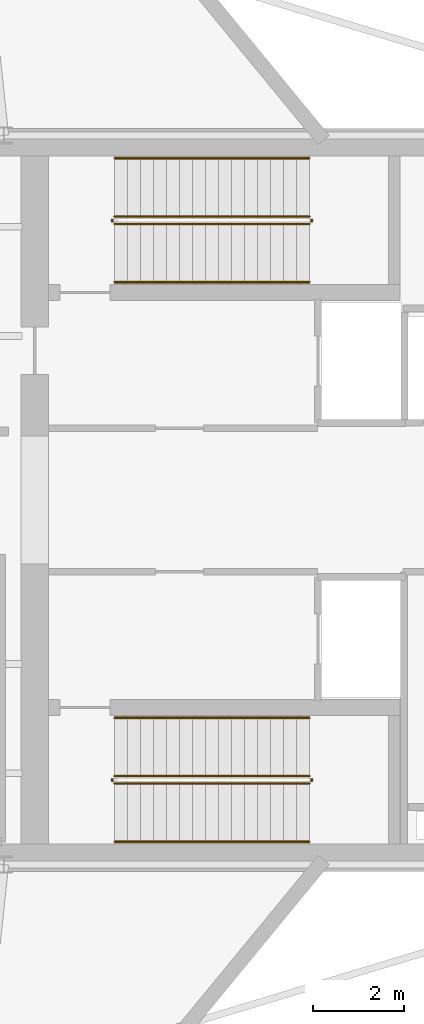
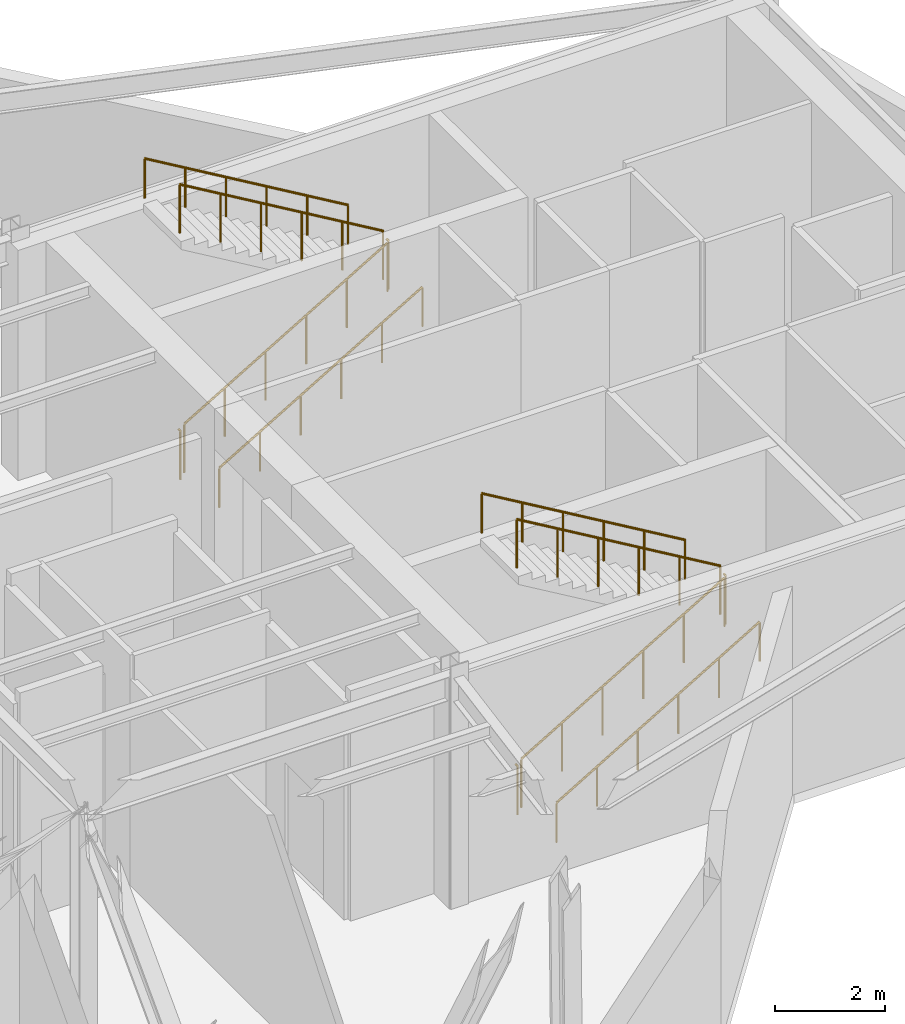
# One storey, part 5 of 5: 12 railings.
"""IFC4 building model written with IfcOpenShell, lengths in metres."""

from ifc_helpers import new_model, si_unit, direction, frame, origin, origin_2d, place, context, subcontext, project, spatial, circle, extrude, material, type_object, element, save


model = new_model("IFC4")

# Units and contexts
model_context = context("Model", 3, precision=1e-05, world=origin(), true_north=direction((0.0, 1.0)))
body_context = subcontext(model_context, "Body", "Model", "MODEL_VIEW")
ifc_project = project(units=[si_unit("LENGTHUNIT", "METRE"), si_unit("AREAUNIT", "SQUARE_METRE"), si_unit("VOLUMEUNIT", "CUBIC_METRE"), si_unit("PLANEANGLEUNIT", "RADIAN"), si_unit("MASSUNIT", "GRAM", prefix="KILO")], contexts=[model_context])

# Site, building, storey
site_placement = place(None, origin())
site = spatial("IfcSite", under=ifc_project, at=site_placement, CompositionType="ELEMENT")
building_placement = place(site_placement, origin())
building = spatial("IfcBuilding", under=site, at=building_placement, Name="Veymaron Broadcast Tower", CompositionType="ELEMENT")
storey_placement = place(building_placement, frame((0.0, 0.0, 256.64990234375)))
storey = spatial("IfcBuildingStorey", under=building, at=storey_placement, Name="L60", CompositionType="ELEMENT", Elevation=256.64990234375)

# Railings
ifc_material_1 = material(Name="Brushed stainless steel AISI 304", Category="steel")
railing_type_1 = type_object("IfcRailingType", Name="RAIL-STAIR-HR", PredefinedType="HANDRAIL", material=ifc_material_1)
railing_1_placement = place(storey_placement, frame((41.429931640625, 28.780029296875, 0.1689453125)))
element("IfcRailing", 1, at=railing_1_placement, inside=storey, type_object=railing_type_1, Name="L60 ST1 stair handrail 1", PredefinedType="HANDRAIL", context=body_context, shape_type="SweptSolid", body=[
    extrude(circle(Radius=0.02392578125, at=origin_2d()), frame((0.0, 0.0, 0.8759765625), z_axis=(0.860483042394, 0.0, 0.50947908078), x_axis=(0.0, 1.0, 0.0)), (0.0, 0.0, 1.0), 4.96826171875),
    extrude(circle(Radius=0.02099609375, at=origin_2d()), origin(), (0.0, 0.0, 1.0), 0.851806640625),
    extrude(circle(Radius=0.02099609375, at=origin_2d()), frame((0.85498046875, 0.0, 0.50634765625)), (0.0, 0.0, 1.0), 0.851806640625),
    extrude(circle(Radius=0.02099609375, at=origin_2d()), frame((1.7099609375, 0.0, 1.012451171875)), (0.0, 0.0, 1.0), 0.851806640625),
    extrude(circle(Radius=0.02099609375, at=origin_2d()), frame((2.565185546875, 0.0, 1.518798828125)), (0.0, 0.0, 1.0), 0.851806640625),
    extrude(circle(Radius=0.02099609375, at=origin_2d()), frame((3.420166015625, 0.0, 2.02490234375)), (0.0, 0.0, 1.0), 0.851806640625),
    extrude(circle(Radius=0.02099609375, at=origin_2d()), frame((4.275146484375, 0.0, 2.53125)), (0.0, 0.0, 1.0), 0.851806640625),
])
railing_2_placement = place(storey_placement, frame((45.705078125, 31.5, 2.868896484375)))
element("IfcRailing", 2, at=railing_2_placement, inside=storey, type_object=railing_type_1, Name="L60 ST1 stair handrail 2", PredefinedType="HANDRAIL", context=body_context, shape_type="SweptSolid", body=[
    extrude(circle(Radius=0.02392578125, at=origin_2d()), frame((0.0, 0.0, 0.8759765625), z_axis=(-0.860483042394, 0.0, 0.50947908078), x_axis=(0.0, -1.0, 0.0)), (0.0, 0.0, 1.0), 4.96826171875),
    extrude(circle(Radius=0.02099609375, at=origin_2d()), origin(), (0.0, 0.0, 1.0), 0.851806640625),
    extrude(circle(Radius=0.02099609375, at=origin_2d()), frame((-0.85498046875, 0.0, 0.50634765625)), (0.0, 0.0, 1.0), 0.851806640625),
    extrude(circle(Radius=0.02099609375, at=origin_2d()), frame((-1.7099609375, 0.0, 1.012451171875)), (0.0, 0.0, 1.0), 0.851806640625),
    extrude(circle(Radius=0.02099609375, at=origin_2d()), frame((-2.565185546875, 0.0, 1.518798828125)), (0.0, 0.0, 1.0), 0.851806640625),
    extrude(circle(Radius=0.02099609375, at=origin_2d()), frame((-3.420166015625, 0.0, 2.02490234375)), (0.0, 0.0, 1.0), 0.851806640625),
    extrude(circle(Radius=0.02099609375, at=origin_2d()), frame((-4.275146484375, 0.0, 2.53125)), (0.0, 0.0, 1.0), 0.851806640625),
])
railing_3_placement = place(storey_placement, frame((41.429931640625, 16.5, 0.1689453125)))
element("IfcRailing", 3, at=railing_3_placement, inside=storey, type_object=railing_type_1, Name="L60 ST2 stair handrail 1", PredefinedType="HANDRAIL", context=body_context, shape_type="SweptSolid", body=[
    extrude(circle(Radius=0.02392578125, at=origin_2d()), frame((0.0, 0.0, 0.8759765625), z_axis=(0.860483042394, 0.0, 0.50947908078), x_axis=(0.0, 1.0, 0.0)), (0.0, 0.0, 1.0), 4.96826171875),
    extrude(circle(Radius=0.02099609375, at=origin_2d()), origin(), (0.0, 0.0, 1.0), 0.851806640625),
    extrude(circle(Radius=0.02099609375, at=origin_2d()), frame((0.85498046875, 0.0, 0.50634765625)), (0.0, 0.0, 1.0), 0.851806640625),
    extrude(circle(Radius=0.02099609375, at=origin_2d()), frame((1.7099609375, 0.0, 1.012451171875)), (0.0, 0.0, 1.0), 0.851806640625),
    extrude(circle(Radius=0.02099609375, at=origin_2d()), frame((2.565185546875, 0.0, 1.518798828125)), (0.0, 0.0, 1.0), 0.851806640625),
    extrude(circle(Radius=0.02099609375, at=origin_2d()), frame((3.420166015625, 0.0, 2.02490234375)), (0.0, 0.0, 1.0), 0.851806640625),
    extrude(circle(Radius=0.02099609375, at=origin_2d()), frame((4.275146484375, 0.0, 2.53125)), (0.0, 0.0, 1.0), 0.851806640625),
])
railing_4_placement = place(storey_placement, frame((45.705078125, 19.219970703125, 2.868896484375)))
element("IfcRailing", 4, at=railing_4_placement, inside=storey, type_object=railing_type_1, Name="L60 ST2 stair handrail 2", PredefinedType="HANDRAIL", context=body_context, shape_type="SweptSolid", body=[
    extrude(circle(Radius=0.02392578125, at=origin_2d()), frame((0.0, 0.0, 0.8759765625), z_axis=(-0.860483042394, 0.0, 0.50947908078), x_axis=(0.0, -1.0, 0.0)), (0.0, 0.0, 1.0), 4.96826171875),
    extrude(circle(Radius=0.02099609375, at=origin_2d()), origin(), (0.0, 0.0, 1.0), 0.851806640625),
    extrude(circle(Radius=0.02099609375, at=origin_2d()), frame((-0.85498046875, 0.0, 0.50634765625)), (0.0, 0.0, 1.0), 0.851806640625),
    extrude(circle(Radius=0.02099609375, at=origin_2d()), frame((-1.7099609375, 0.0, 1.012451171875)), (0.0, 0.0, 1.0), 0.851806640625),
    extrude(circle(Radius=0.02099609375, at=origin_2d()), frame((-2.565185546875, 0.0, 1.518798828125)), (0.0, 0.0, 1.0), 0.851806640625),
    extrude(circle(Radius=0.02099609375, at=origin_2d()), frame((-3.420166015625, 0.0, 2.02490234375)), (0.0, 0.0, 1.0), 0.851806640625),
    extrude(circle(Radius=0.02099609375, at=origin_2d()), frame((-4.275146484375, 0.0, 2.53125)), (0.0, 0.0, 1.0), 0.851806640625),
])
ifc_material_2 = material(Name="Painted galvanized steel balustrade", Category="steel")
railing_type_2 = type_object("IfcRailingType", Name="RAIL-WELL-GRD", PredefinedType="GUARDRAIL", material=ifc_material_2)
railing_5_placement = place(storey_placement, frame((41.429931640625, 30.06005859375, 0.1689453125)))
element("IfcRailing", 5, at=railing_5_placement, inside=storey, type_object=railing_type_2, Name="L60 ST1 stair guard 1", PredefinedType="GUARDRAIL", context=body_context, shape_type="SweptSolid", body=[
    extrude(circle(Radius=0.02392578125, at=origin_2d()), frame((0.0, 0.0, 1.076171875), z_axis=(0.860483042394, 0.0, 0.50947908078), x_axis=(0.0, 1.0, 0.0)), (0.0, 0.0, 1.0), 4.96826171875),
    extrude(circle(Radius=0.02099609375, at=origin_2d()), origin(), (0.0, 0.0, 1.0), 1.052001953125),
    extrude(circle(Radius=0.02099609375, at=origin_2d()), frame((0.85498046875, 0.0, 0.50634765625)), (0.0, 0.0, 1.0), 1.052001953125),
    extrude(circle(Radius=0.02099609375, at=origin_2d()), frame((1.7099609375, 0.0, 1.012451171875)), (0.0, 0.0, 1.0), 1.052001953125),
    extrude(circle(Radius=0.02099609375, at=origin_2d()), frame((2.565185546875, 0.0, 1.518798828125)), (0.0, 0.0, 1.0), 1.052001953125),
    extrude(circle(Radius=0.02099609375, at=origin_2d()), frame((3.420166015625, 0.0, 2.02490234375)), (0.0, 0.0, 1.0), 1.052001953125),
    extrude(circle(Radius=0.02099609375, at=origin_2d()), frame((4.275146484375, 0.0, 2.53125)), (0.0, 0.0, 1.0), 1.052001953125),
])
railing_6_placement = place(storey_placement, frame((45.7548828125, 30.110107421875, 2.7001953125)))
element("IfcRailing", 6, at=railing_6_placement, inside=storey, type_object=railing_type_2, Name="L60 ST1 stair guard 2", PredefinedType="GUARDRAIL", context=body_context, shape_type="SweptSolid", body=[
    extrude(circle(Radius=0.02392578125, at=origin_2d()), frame((0.0, 0.0, 1.076171875), z_axis=(0.0, 1.0, 0.0), x_axis=(-1.0, 0.0, 0.0)), (0.0, 0.0, 1.0), 0.059814453125),
    extrude(circle(Radius=0.02099609375, at=origin_2d()), origin(), (0.0, 0.0, 1.0), 1.052001953125),
])
railing_7_placement = place(storey_placement, frame((45.705078125, 30.219970703125, 2.868896484375)))
element("IfcRailing", 7, at=railing_7_placement, inside=storey, type_object=railing_type_2, Name="L60 ST1 stair guard 3", PredefinedType="GUARDRAIL", context=body_context, shape_type="SweptSolid", body=[
    extrude(circle(Radius=0.02392578125, at=origin_2d()), frame((0.0, 0.0, 1.076171875), z_axis=(-0.860483042394, 0.0, 0.50947908078), x_axis=(0.0, -1.0, 0.0)), (0.0, 0.0, 1.0), 4.96826171875),
    extrude(circle(Radius=0.02099609375, at=origin_2d()), origin(), (0.0, 0.0, 1.0), 1.052001953125),
    extrude(circle(Radius=0.02099609375, at=origin_2d()), frame((-0.85498046875, 0.0, 0.50634765625)), (0.0, 0.0, 1.0), 1.052001953125),
    extrude(circle(Radius=0.02099609375, at=origin_2d()), frame((-1.7099609375, 0.0, 1.012451171875)), (0.0, 0.0, 1.0), 1.052001953125),
    extrude(circle(Radius=0.02099609375, at=origin_2d()), frame((-2.565185546875, 0.0, 1.518798828125)), (0.0, 0.0, 1.0), 1.052001953125),
    extrude(circle(Radius=0.02099609375, at=origin_2d()), frame((-3.420166015625, 0.0, 2.02490234375)), (0.0, 0.0, 1.0), 1.052001953125),
    extrude(circle(Radius=0.02099609375, at=origin_2d()), frame((-4.275146484375, 0.0, 2.53125)), (0.0, 0.0, 1.0), 1.052001953125),
])
railing_8_placement = place(storey_placement, frame((41.3798828125, 30.110107421875, 0.0)))
element("IfcRailing", 8, at=railing_8_placement, inside=storey, type_object=railing_type_2, Name="L60 ST1 stair guard 4", PredefinedType="GUARDRAIL", context=body_context, shape_type="SweptSolid", body=[
    extrude(circle(Radius=0.02392578125, at=origin_2d()), frame((0.0, 0.0, 1.076171875), z_axis=(0.0, 1.0, 0.0), x_axis=(-1.0, 0.0, 0.0)), (0.0, 0.0, 1.0), 0.059814453125),
    extrude(circle(Radius=0.02099609375, at=origin_2d()), origin(), (0.0, 0.0, 1.0), 1.052001953125),
])
railing_9_placement = place(storey_placement, frame((41.429931640625, 17.780029296875, 0.1689453125)))
element("IfcRailing", 9, at=railing_9_placement, inside=storey, type_object=railing_type_2, Name="L60 ST2 stair guard 1", PredefinedType="GUARDRAIL", context=body_context, shape_type="SweptSolid", body=[
    extrude(circle(Radius=0.02392578125, at=origin_2d()), frame((0.0, 0.0, 1.076171875), z_axis=(0.860483042394, 0.0, 0.50947908078), x_axis=(0.0, 1.0, 0.0)), (0.0, 0.0, 1.0), 4.96826171875),
    extrude(circle(Radius=0.02099609375, at=origin_2d()), origin(), (0.0, 0.0, 1.0), 1.052001953125),
    extrude(circle(Radius=0.02099609375, at=origin_2d()), frame((0.85498046875, 0.0, 0.50634765625)), (0.0, 0.0, 1.0), 1.052001953125),
    extrude(circle(Radius=0.02099609375, at=origin_2d()), frame((1.7099609375, 0.0, 1.012451171875)), (0.0, 0.0, 1.0), 1.052001953125),
    extrude(circle(Radius=0.02099609375, at=origin_2d()), frame((2.565185546875, 0.0, 1.518798828125)), (0.0, 0.0, 1.0), 1.052001953125),
    extrude(circle(Radius=0.02099609375, at=origin_2d()), frame((3.420166015625, 0.0, 2.02490234375)), (0.0, 0.0, 1.0), 1.052001953125),
    extrude(circle(Radius=0.02099609375, at=origin_2d()), frame((4.275146484375, 0.0, 2.53125)), (0.0, 0.0, 1.0), 1.052001953125),
])
railing_10_placement = place(storey_placement, frame((45.7548828125, 17.830078125, 2.7001953125)))
element("IfcRailing", 10, at=railing_10_placement, inside=storey, type_object=railing_type_2, Name="L60 ST2 stair guard 2", PredefinedType="GUARDRAIL", context=body_context, shape_type="SweptSolid", body=[
    extrude(circle(Radius=0.02392578125, at=origin_2d()), frame((0.0, 0.0, 1.076171875), z_axis=(0.0, 1.0, 0.0), x_axis=(-1.0, 0.0, 0.0)), (0.0, 0.0, 1.0), 0.059814453125),
    extrude(circle(Radius=0.02099609375, at=origin_2d()), origin(), (0.0, 0.0, 1.0), 1.052001953125),
])
railing_11_placement = place(storey_placement, frame((45.705078125, 17.93994140625, 2.868896484375)))
element("IfcRailing", 11, at=railing_11_placement, inside=storey, type_object=railing_type_2, Name="L60 ST2 stair guard 3", PredefinedType="GUARDRAIL", context=body_context, shape_type="SweptSolid", body=[
    extrude(circle(Radius=0.02392578125, at=origin_2d()), frame((0.0, 0.0, 1.076171875), z_axis=(-0.860483042394, 0.0, 0.50947908078), x_axis=(0.0, -1.0, 0.0)), (0.0, 0.0, 1.0), 4.96826171875),
    extrude(circle(Radius=0.02099609375, at=origin_2d()), origin(), (0.0, 0.0, 1.0), 1.052001953125),
    extrude(circle(Radius=0.02099609375, at=origin_2d()), frame((-0.85498046875, 0.0, 0.50634765625)), (0.0, 0.0, 1.0), 1.052001953125),
    extrude(circle(Radius=0.02099609375, at=origin_2d()), frame((-1.7099609375, 0.0, 1.012451171875)), (0.0, 0.0, 1.0), 1.052001953125),
    extrude(circle(Radius=0.02099609375, at=origin_2d()), frame((-2.565185546875, 0.0, 1.518798828125)), (0.0, 0.0, 1.0), 1.052001953125),
    extrude(circle(Radius=0.02099609375, at=origin_2d()), frame((-3.420166015625, 0.0, 2.02490234375)), (0.0, 0.0, 1.0), 1.052001953125),
    extrude(circle(Radius=0.02099609375, at=origin_2d()), frame((-4.275146484375, 0.0, 2.53125)), (0.0, 0.0, 1.0), 1.052001953125),
])
railing_12_placement = place(storey_placement, frame((41.3798828125, 17.830078125, 0.0)))
element("IfcRailing", 12, at=railing_12_placement, inside=storey, type_object=railing_type_2, Name="L60 ST2 stair guard 4", PredefinedType="GUARDRAIL", context=body_context, shape_type="SweptSolid", body=[
    extrude(circle(Radius=0.02392578125, at=origin_2d()), frame((0.0, 0.0, 1.076171875), z_axis=(0.0, 1.0, 0.0), x_axis=(-1.0, 0.0, 0.0)), (0.0, 0.0, 1.0), 0.059814453125),
    extrude(circle(Radius=0.02099609375, at=origin_2d()), origin(), (0.0, 0.0, 1.0), 1.052001953125),
])

save(model, "model.ifc")
